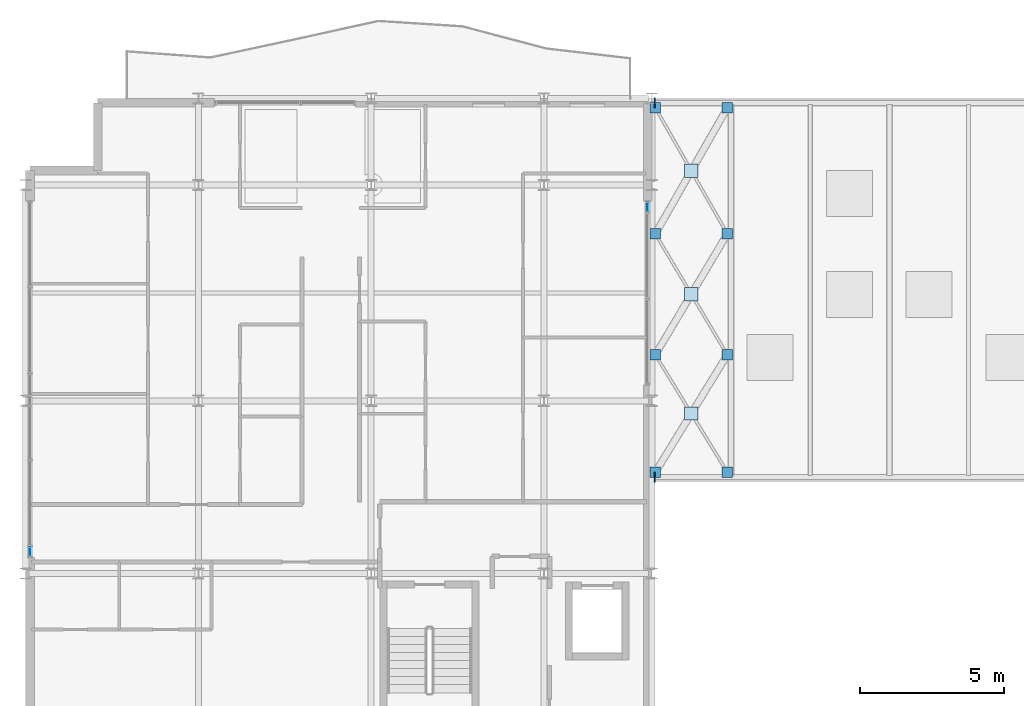
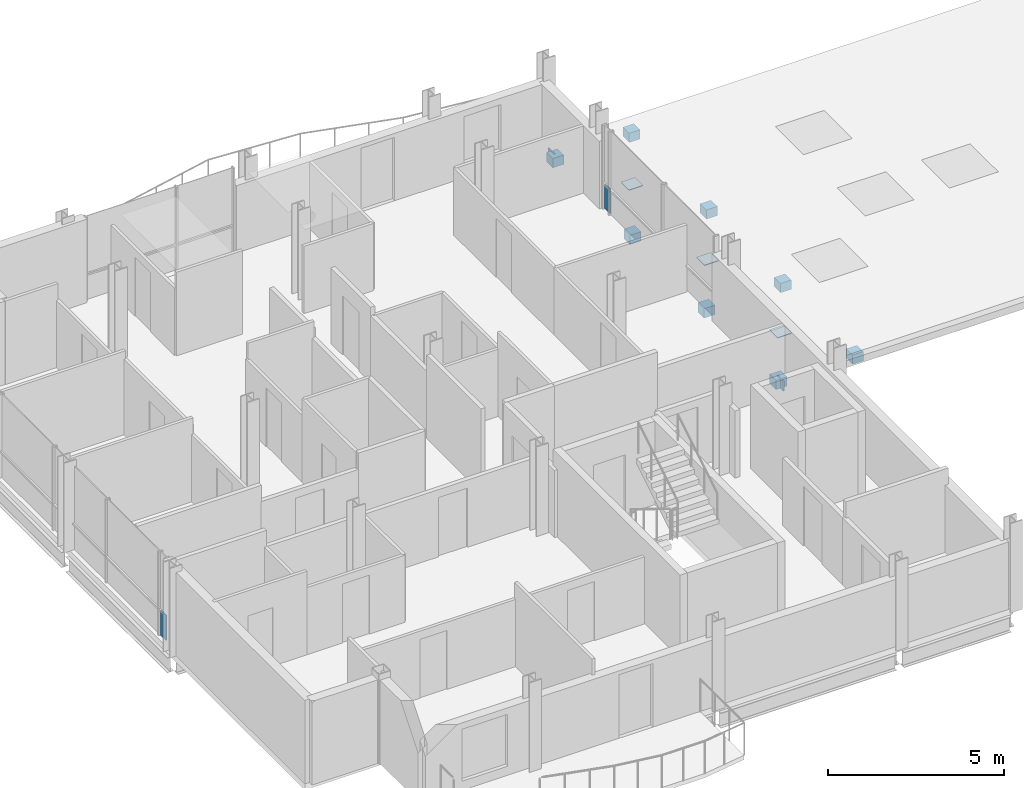
# One storey, part 25 of 33: 15 plates, 2 elements without a shape of their own.
"""IFC4 building model written with IfcOpenShell, lengths in metres."""

from ifc_helpers import new_model, si_unit, direction, frame, origin, origin_2d, place, context, subcontext, project, spatial, rectangle, extrude, material, layer, layer_set, type_object, element, aggregate, save


model = new_model("IFC4")

# Units and contexts
model_context = context("Model", 3, precision=1e-05, world=origin(), true_north=direction((0.0, 1.0)))
body_context = subcontext(model_context, "Body", "Model", "MODEL_VIEW")
ifc_project = project(units=[si_unit("LENGTHUNIT", "METRE"), si_unit("AREAUNIT", "SQUARE_METRE"), si_unit("VOLUMEUNIT", "CUBIC_METRE"), si_unit("PLANEANGLEUNIT", "RADIAN"), si_unit("MASSUNIT", "GRAM", prefix="KILO")], contexts=[model_context])

# Site, building, storey
site_placement = place(None, origin())
site = spatial("IfcSite", under=ifc_project, at=site_placement, CompositionType="ELEMENT")
building_placement = place(site_placement, origin())
building = spatial("IfcBuilding", under=site, at=building_placement, Name="Brevholm Reach", CompositionType="ELEMENT")
storey_placement = place(building_placement, frame((0.0, 0.0, 189.39990234375)))
storey = spatial("IfcBuildingStorey", under=building, at=storey_placement, Name="L57", CompositionType="ELEMENT", Elevation=189.39990234375)

# Curtain wall, plate
ifc_material_1 = material(Name="Dark Anodised Aluminium 6063-T6 and Solar-Control Glass", Category="aluminium")
ifc_layer_1 = layer(ifc_material_1, 0.14990234375)
ifc_layer_set_1 = layer_set([ifc_layer_1], Name="Dark Anodised Aluminium 6063-T6 and Solar-Control Glass")
curtain_wall_type_1 = type_object("IfcCurtainWallType", Name="CW-01", PredefinedType="NOTDEFINED", material=ifc_layer_set_1)
curtain_wall_1_placement = place(storey_placement, origin())
curtain_wall_1 = element("IfcCurtainWall", 1, at=curtain_wall_1_placement, inside=storey, type_object=curtain_wall_type_1, Name="L57 Curtain Wall CW-01", PredefinedType="NOTDEFINED")
ifc_material_2 = material(Name="Dark Solar-Control Double-Glazed IGU Glass", Category="glass")
ifc_layer_2 = layer(ifc_material_2, 0.028076171875)
ifc_layer_set_2 = layer_set([ifc_layer_2], Name="Dark Solar-Control Double-Glazed IGU Glass")
plate_type_1 = type_object("IfcPlateType", Name="CWP-GLZ-28", PredefinedType="CURTAIN_PANEL", material=ifc_layer_set_2)
plate_1_placement = place(storey_placement, frame((0.14990234375, 10.766357421875, 0.0), z_axis=(0.0, 0.0, 1.0), x_axis=(0.0, -1.0, 0.0)))
plate_1 = element("IfcPlate", 2, at=plate_1_placement, type_object=plate_type_1, Name="CP-01 Glazing Panel 5.1", PredefinedType="CURTAIN_PANEL", context=body_context, shape_type="SweptSolid", body=[
    extrude(rectangle(XDim=0.302490234375, YDim=0.028076171875, at=origin_2d()), origin(), (0.0, 0.0, 1.0), 0.867431640625),
])
aggregate(curtain_wall_1, [plate_1])

ifc_material_3 = material(Name="Dark Anodised Aluminium 6063-T6 and Solar-Control Glass", Category="aluminium")
ifc_layer_3 = layer(ifc_material_3, 0.1650390625)
ifc_layer_set_3 = layer_set([ifc_layer_3], Name="Dark Anodised Aluminium 6063-T6 and Solar-Control Glass")
curtain_wall_type_2 = type_object("IfcCurtainWallType", Name="CW-04", PredefinedType="NOTDEFINED", material=ifc_layer_set_3)
curtain_wall_2_placement = place(storey_placement, origin())
curtain_wall_2 = element("IfcCurtainWall", 3, at=curtain_wall_2_placement, inside=storey, type_object=curtain_wall_type_2, Name="L57 Curtain Wall CW-04", PredefinedType="NOTDEFINED")
plate_2_placement = place(storey_placement, frame((21.60009765625, 22.732421875, 0.0), z_axis=(0.0, 0.0, 1.0), x_axis=(0.0, 1.0, 0.0)))
plate_2 = element("IfcPlate", 4, at=plate_2_placement, type_object=plate_type_1, Name="CP-01 Glazing Panel 3.1", PredefinedType="CURTAIN_PANEL", context=body_context, shape_type="SweptSolid", body=[
    extrude(rectangle(XDim=0.294921875, YDim=0.028076171875, at=origin_2d()), origin(), (0.0, 0.0, 1.0), 0.864990234375),
])
aggregate(curtain_wall_2, [plate_2])

# Plates
ifc_material_4 = material(Name="Structural Steel S355J2", Category="steel")
ifc_layer_4 = layer(ifc_material_4, 0.02392578125)
ifc_layer_set_4 = layer_set([ifc_layer_4], Name="Structural Steel S355J2")
plate_type_2 = type_object("IfcPlateType", Name="PLT-GUS-24", PredefinedType="USERDEFINED", material=ifc_layer_set_4)
plate_3_placement = place(storey_placement, frame((23.1201171875, 15.56005859375, -0.366943359375), z_axis=(0.0, 0.0, 1.0), x_axis=(1.0, 0.0, 0.0)))
element("IfcPlate", 5, at=plate_3_placement, inside=storey, type_object=plate_type_2, Name="L57 Skylight X-Brace Central Gusset 1", ObjectType="GUSSET_PLATE", PredefinedType="USERDEFINED", context=body_context, shape_type="SweptSolid", body=[
    extrude(rectangle(XDim=0.4599609375, YDim=0.4599609375, at=origin_2d()), origin(), (0.0, 0.0, 1.0), 0.02392578125),
])
for number, where, z_axis, x_axis, name in (
    (6, (21.8701171875, 13.52001953125, -0.51513671875), (0.0, 0.0, 1.0), (1.0, 0.0, 0.0), "L57 Skylight Hollow Brace Welded End Cap 1.1"),
    (7, (24.3701171875, 17.60009765625, -0.51513671875), (0.0, 0.0, 1.0), (1.0, 0.0, 0.0), "L57 Skylight Hollow Brace Welded End Cap 1.2"),
    (8, (21.8701171875, 17.60009765625, -0.51513671875), (0.0, 0.0, 1.0), (1.0, 0.0, 0.0), "L57 Skylight Hollow Brace Welded End Cap 1.3"),
    (9, (24.3701171875, 13.52001953125, -0.51513671875), (0.0, 0.0, 1.0), (1.0, 0.0, 0.0), "L57 Skylight Hollow Brace Welded End Cap 1.4"),
):
    element("IfcPlate", number, at=place(storey_placement, frame(where, z_axis=z_axis, x_axis=x_axis)), inside=storey, type_object=plate_type_2, Name=name, ObjectType="GUSSET_PLATE", PredefinedType="USERDEFINED", context=body_context, shape_type="SweptSolid", body=[
        extrude(rectangle(XDim=0.360107421875, YDim=0.360107421875, at=origin_2d()), origin(), (0.0, 0.0, 1.0), 0.320068359375),
    ])
plate_4_placement = place(storey_placement, frame((23.1201171875, 19.699951171875, -0.366943359375), z_axis=(0.0, 0.0, 1.0), x_axis=(1.0, 0.0, 0.0)))
element("IfcPlate", 10, at=plate_4_placement, inside=storey, type_object=plate_type_2, Name="L57 Skylight X-Brace Central Gusset 2", ObjectType="GUSSET_PLATE", PredefinedType="USERDEFINED", context=body_context, shape_type="SweptSolid", body=[
    extrude(rectangle(XDim=0.4599609375, YDim=0.4599609375, at=origin_2d()), origin(), (0.0, 0.0, 1.0), 0.02392578125),
])
for number, where, z_axis, x_axis, name in (
    (11, (24.3701171875, 21.800048828125, -0.51513671875), (0.0, 0.0, 1.0), (1.0, 0.0, 0.0), "L57 Skylight Hollow Brace Welded End Cap 2.2"),
    (12, (21.8701171875, 21.800048828125, -0.51513671875), (0.0, 0.0, 1.0), (1.0, 0.0, 0.0), "L57 Skylight Hollow Brace Welded End Cap 2.3"),
):
    element("IfcPlate", number, at=place(storey_placement, frame(where, z_axis=z_axis, x_axis=x_axis)), inside=storey, type_object=plate_type_2, Name=name, ObjectType="GUSSET_PLATE", PredefinedType="USERDEFINED", context=body_context, shape_type="SweptSolid", body=[
        extrude(rectangle(XDim=0.360107421875, YDim=0.360107421875, at=origin_2d()), origin(), (0.0, 0.0, 1.0), 0.320068359375),
    ])
plate_5_placement = place(storey_placement, frame((23.1201171875, 23.989990234375, -0.366943359375), z_axis=(0.0, 0.0, 1.0), x_axis=(1.0, 0.0, 0.0)))
element("IfcPlate", 13, at=plate_5_placement, inside=storey, type_object=plate_type_2, Name="L57 Skylight X-Brace Central Gusset 3", ObjectType="GUSSET_PLATE", PredefinedType="USERDEFINED", context=body_context, shape_type="SweptSolid", body=[
    extrude(rectangle(XDim=0.4599609375, YDim=0.4599609375, at=origin_2d()), origin(), (0.0, 0.0, 1.0), 0.02392578125),
])
for number, where, z_axis, x_axis, name in (
    (14, (24.3701171875, 26.179931640625, -0.51513671875), (0.0, 0.0, 1.0), (1.0, 0.0, 0.0), "L57 Skylight Hollow Brace Welded End Cap 3.2"),
    (15, (21.8701171875, 26.179931640625, -0.51513671875), (0.0, 0.0, 1.0), (1.0, 0.0, 0.0), "L57 Skylight Hollow Brace Welded End Cap 3.3"),
):
    element("IfcPlate", number, at=place(storey_placement, frame(where, z_axis=z_axis, x_axis=x_axis)), inside=storey, type_object=plate_type_2, Name=name, ObjectType="GUSSET_PLATE", PredefinedType="USERDEFINED", context=body_context, shape_type="SweptSolid", body=[
        extrude(rectangle(XDim=0.360107421875, YDim=0.360107421875, at=origin_2d()), origin(), (0.0, 0.0, 1.0), 0.320068359375),
    ])
for number, where, z_axis, x_axis, name in (
    (16, (21.85009765625, 13.35009765625, -0.52490234375), (0.0, 0.0, 1.0), (1.0, 0.0, 0.0), "L57 Skylight Header Welded End Cap 1W"),
    (17, (21.85009765625, 26.35009765625, -0.52490234375), (0.0, 0.0, 1.0), (1.0, 0.0, 0.0), "L57 Skylight Header Welded End Cap 2W"),
):
    element("IfcPlate", number, at=place(storey_placement, frame(where, z_axis=z_axis, x_axis=x_axis)), inside=storey, type_object=plate_type_2, Name=name, ObjectType="GUSSET_PLATE", PredefinedType="USERDEFINED", context=body_context, shape_type="SweptSolid", body=[
        extrude(rectangle(XDim=0.035888671875, YDim=0.340087890625, at=origin_2d()), origin(), (0.0, 0.0, 1.0), 0.340087890625),
    ])

save(model, "model.ifc")
